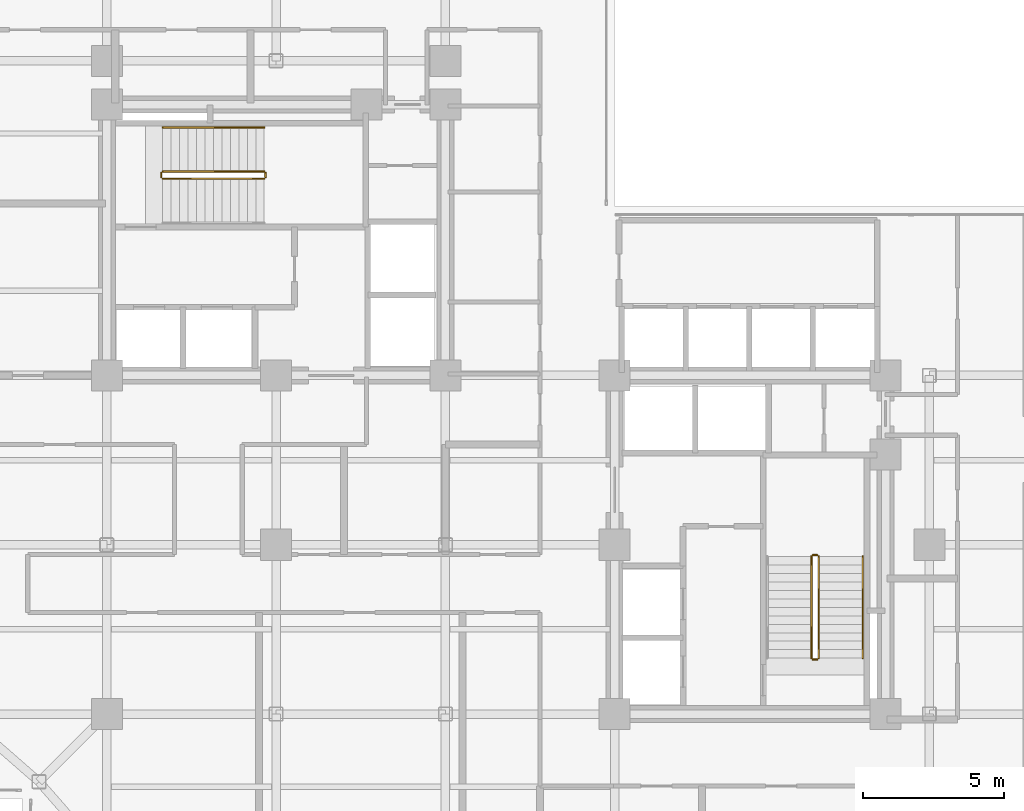
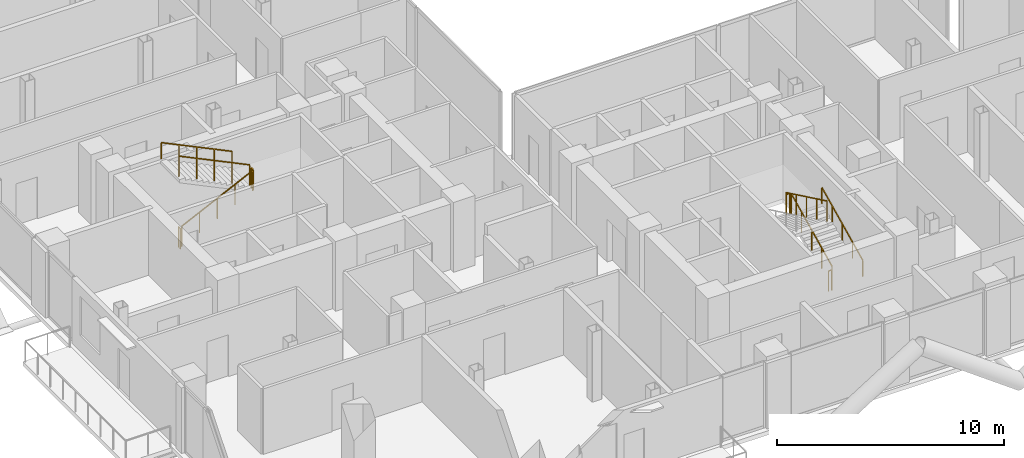
# One storey, part 24 of 24: 10 railings.
"""IFC4 building model written with IfcOpenShell, lengths in metres."""

from ifc_helpers import new_model, si_unit, direction, frame, origin, origin_2d, place, context, subcontext, project, spatial, rectangle, extrude, material, type_object, element, save


model = new_model("IFC4")

# Units and contexts
model_context = context("Model", 3, precision=1e-05, world=origin(), true_north=direction((0.0, 1.0)))
body_context = subcontext(model_context, "Body", "Model", "MODEL_VIEW")
ifc_project = project(units=[si_unit("LENGTHUNIT", "METRE"), si_unit("AREAUNIT", "SQUARE_METRE"), si_unit("VOLUMEUNIT", "CUBIC_METRE"), si_unit("PLANEANGLEUNIT", "RADIAN"), si_unit("MASSUNIT", "GRAM", prefix="KILO"), si_unit("THERMODYNAMICTEMPERATUREUNIT", "KELVIN"), si_unit("POWERUNIT", "WATT")], contexts=[model_context])

# Site, building, storey
site_placement = place(None, origin())
site = spatial("IfcSite", under=ifc_project, at=site_placement, CompositionType="ELEMENT")
building_placement = place(site_placement, origin())
building = spatial("IfcBuilding", under=site, at=building_placement, Name="Svarakhadi Broadcast Tower", CompositionType="ELEMENT")
storey_placement = place(building_placement, frame((0.0, 0.0, 130.64990234375)))
storey = spatial("IfcBuildingStorey", under=building, at=storey_placement, Name="L31", CompositionType="ELEMENT", Elevation=130.64990234375)

# Railings
ifc_material = material(Name="Anodised Bronze Aluminium AA 6063-T6", Category="aluminium")
railing_type_1 = type_object("IfcRailingType", Name="Guard_Stair_GR01", PredefinedType="GUARDRAIL", material=ifc_material)
railing_1_placement = place(storey_placement, frame((7.97998046875, 24.969970703125, 0.144287109375)))
element("IfcRailing", 1, at=railing_1_placement, inside=storey, type_object=railing_type_1, Name="L31 ST-01 stair guard 1", PredefinedType="GUARDRAIL", context=body_context, shape_type="SweptSolid", body=[
    extrude(rectangle(XDim=0.048095703125, YDim=0.048095703125, at=origin_2d()), frame((0.0, 0.0, 1.09619140625), z_axis=(0.901262522062, 0.0, 0.433273431364), x_axis=(0.0, 1.0, 0.0)), (0.0, 0.0, 1.0), 3.994384765625),
    extrude(rectangle(XDim=0.0419921875, YDim=0.0419921875, at=origin_2d()), origin(), (0.0, 0.0, 1.0), 1.072021484375),
    extrude(rectangle(XDim=0.0419921875, YDim=0.0419921875, at=origin_2d()), frame((0.89990234375, 0.0, 0.4326171875)), (0.0, 0.0, 1.0), 1.072021484375),
    extrude(rectangle(XDim=0.0419921875, YDim=0.0419921875, at=origin_2d()), frame((1.800048828125, 0.0, 0.865234375)), (0.0, 0.0, 1.0), 1.072021484375),
    extrude(rectangle(XDim=0.0419921875, YDim=0.0419921875, at=origin_2d()), frame((2.7001953125, 0.0, 1.298095703125)), (0.0, 0.0, 1.0), 1.072021484375),
    extrude(rectangle(XDim=0.0419921875, YDim=0.0419921875, at=origin_2d()), frame((3.60009765625, 0.0, 1.730712890625)), (0.0, 0.0, 1.0), 1.072021484375),
])
railing_2_placement = place(storey_placement, frame((11.6298828125, 25.02001953125, 1.875)))
element("IfcRailing", 2, at=railing_2_placement, inside=storey, type_object=railing_type_1, Name="L31 ST-01 stair guard 2", PredefinedType="GUARDRAIL", context=body_context, shape_type="SweptSolid", body=[
    extrude(rectangle(XDim=0.048095703125, YDim=0.048095703125, at=origin_2d()), frame((0.0, 0.0, 1.09619140625), z_axis=(0.0, 1.0, 0.0), x_axis=(-1.0, 0.0, 0.0)), (0.0, 0.0, 1.0), 0.159912109375),
    extrude(rectangle(XDim=0.0419921875, YDim=0.0419921875, at=origin_2d()), origin(), (0.0, 0.0, 1.0), 1.072021484375),
    extrude(rectangle(XDim=0.0419921875, YDim=0.0419921875, at=origin_2d()), frame((0.0, 0.159912109375, 0.0)), (0.0, 0.0, 1.0), 1.072021484375),
])
railing_3_placement = place(storey_placement, frame((11.580078125, 25.22998046875, 2.019287109375)))
element("IfcRailing", 3, at=railing_3_placement, inside=storey, type_object=railing_type_1, Name="L31 ST-01 stair guard 3", PredefinedType="GUARDRAIL", context=body_context, shape_type="SweptSolid", body=[
    extrude(rectangle(XDim=0.048095703125, YDim=0.048095703125, at=origin_2d()), frame((0.0, 0.0, 1.09619140625), z_axis=(-0.901262522062, 0.0, 0.433273431364), x_axis=(0.0, -1.0, 0.0)), (0.0, 0.0, 1.0), 3.994384765625),
    extrude(rectangle(XDim=0.0419921875, YDim=0.0419921875, at=origin_2d()), origin(), (0.0, 0.0, 1.0), 1.072021484375),
    extrude(rectangle(XDim=0.0419921875, YDim=0.0419921875, at=origin_2d()), frame((-0.89990234375, 0.0, 0.4326171875)), (0.0, 0.0, 1.0), 1.072021484375),
    extrude(rectangle(XDim=0.0419921875, YDim=0.0419921875, at=origin_2d()), frame((-1.800048828125, 0.0, 0.865234375)), (0.0, 0.0, 1.0), 1.072021484375),
    extrude(rectangle(XDim=0.0419921875, YDim=0.0419921875, at=origin_2d()), frame((-2.7001953125, 0.0, 1.298095703125)), (0.0, 0.0, 1.0), 1.072021484375),
    extrude(rectangle(XDim=0.0419921875, YDim=0.0419921875, at=origin_2d()), frame((-3.60009765625, 0.0, 1.730712890625)), (0.0, 0.0, 1.0), 1.072021484375),
])
railing_4_placement = place(storey_placement, frame((7.929931640625, 25.02001953125, 0.0)))
element("IfcRailing", 4, at=railing_4_placement, inside=storey, type_object=railing_type_1, Name="L31 ST-01 stair guard 4", PredefinedType="GUARDRAIL", context=body_context, shape_type="SweptSolid", body=[
    extrude(rectangle(XDim=0.048095703125, YDim=0.048095703125, at=origin_2d()), frame((0.0, 0.0, 1.09619140625), z_axis=(0.0, 1.0, 0.0), x_axis=(-1.0, 0.0, 0.0)), (0.0, 0.0, 1.0), 0.159912109375),
    extrude(rectangle(XDim=0.0419921875, YDim=0.0419921875, at=origin_2d()), origin(), (0.0, 0.0, 1.0), 1.072021484375),
    extrude(rectangle(XDim=0.0419921875, YDim=0.0419921875, at=origin_2d()), frame((0.0, 0.159912109375, 0.0)), (0.0, 0.0, 1.0), 1.072021484375),
])
railing_5_placement = place(storey_placement, frame((31.22998046875, 7.97998046875, 0.144287109375)))
element("IfcRailing", 5, at=railing_5_placement, inside=storey, type_object=railing_type_1, Name="L31 ST-02 stair guard 1", PredefinedType="GUARDRAIL", context=body_context, shape_type="SweptSolid", body=[
    extrude(rectangle(XDim=0.048095703125, YDim=0.048095703125, at=origin_2d()), frame((0.0, 0.0, 1.09619140625), z_axis=(0.0, 0.901262522062, 0.433273431364), x_axis=(-1.0, 0.0, 0.0)), (0.0, 0.0, 1.0), 3.994384765625),
    extrude(rectangle(XDim=0.0419921875, YDim=0.0419921875, at=origin_2d()), origin(), (0.0, 0.0, 1.0), 1.072021484375),
    extrude(rectangle(XDim=0.0419921875, YDim=0.0419921875, at=origin_2d()), frame((0.0, 0.89990234375, 0.4326171875)), (0.0, 0.0, 1.0), 1.072021484375),
    extrude(rectangle(XDim=0.0419921875, YDim=0.0419921875, at=origin_2d()), frame((0.0, 1.800048828125, 0.865234375)), (0.0, 0.0, 1.0), 1.072021484375),
    extrude(rectangle(XDim=0.0419921875, YDim=0.0419921875, at=origin_2d()), frame((0.0, 2.7001953125, 1.298095703125)), (0.0, 0.0, 1.0), 1.072021484375),
    extrude(rectangle(XDim=0.0419921875, YDim=0.0419921875, at=origin_2d()), frame((0.0, 3.60009765625, 1.730712890625)), (0.0, 0.0, 1.0), 1.072021484375),
])
railing_6_placement = place(storey_placement, frame((31.179931640625, 11.6298828125, 1.875)))
element("IfcRailing", 6, at=railing_6_placement, inside=storey, type_object=railing_type_1, Name="L31 ST-02 stair guard 2", PredefinedType="GUARDRAIL", context=body_context, shape_type="SweptSolid", body=[
    extrude(rectangle(XDim=0.048095703125, YDim=0.048095703125, at=origin_2d()), frame((0.0, 0.0, 1.09619140625), z_axis=(-1.0, 0.0, 0.0), x_axis=(0.0, -1.0, 0.0)), (0.0, 0.0, 1.0), 0.159912109375),
    extrude(rectangle(XDim=0.0419921875, YDim=0.0419921875, at=origin_2d()), origin(), (0.0, 0.0, 1.0), 1.072021484375),
    extrude(rectangle(XDim=0.0419921875, YDim=0.0419921875, at=origin_2d()), frame((-0.159912109375, 0.0, 0.0)), (0.0, 0.0, 1.0), 1.072021484375),
])
railing_7_placement = place(storey_placement, frame((30.969970703125, 11.580078125, 2.019287109375)))
element("IfcRailing", 7, at=railing_7_placement, inside=storey, type_object=railing_type_1, Name="L31 ST-02 stair guard 3", PredefinedType="GUARDRAIL", context=body_context, shape_type="SweptSolid", body=[
    extrude(rectangle(XDim=0.048095703125, YDim=0.048095703125, at=origin_2d()), frame((0.0, 0.0, 1.09619140625), z_axis=(0.0, -0.901262522062, 0.433273431364), x_axis=(1.0, 0.0, 0.0)), (0.0, 0.0, 1.0), 3.994384765625),
    extrude(rectangle(XDim=0.0419921875, YDim=0.0419921875, at=origin_2d()), origin(), (0.0, 0.0, 1.0), 1.072021484375),
    extrude(rectangle(XDim=0.0419921875, YDim=0.0419921875, at=origin_2d()), frame((0.0, -0.89990234375, 0.4326171875)), (0.0, 0.0, 1.0), 1.072021484375),
    extrude(rectangle(XDim=0.0419921875, YDim=0.0419921875, at=origin_2d()), frame((0.0, -1.800048828125, 0.865234375)), (0.0, 0.0, 1.0), 1.072021484375),
    extrude(rectangle(XDim=0.0419921875, YDim=0.0419921875, at=origin_2d()), frame((0.0, -2.7001953125, 1.298095703125)), (0.0, 0.0, 1.0), 1.072021484375),
    extrude(rectangle(XDim=0.0419921875, YDim=0.0419921875, at=origin_2d()), frame((0.0, -3.60009765625, 1.730712890625)), (0.0, 0.0, 1.0), 1.072021484375),
])
railing_8_placement = place(storey_placement, frame((31.179931640625, 7.929931640625, 0.0)))
element("IfcRailing", 8, at=railing_8_placement, inside=storey, type_object=railing_type_1, Name="L31 ST-02 stair guard 4", PredefinedType="GUARDRAIL", context=body_context, shape_type="SweptSolid", body=[
    extrude(rectangle(XDim=0.048095703125, YDim=0.048095703125, at=origin_2d()), frame((0.0, 0.0, 1.09619140625), z_axis=(-1.0, 0.0, 0.0), x_axis=(0.0, -1.0, 0.0)), (0.0, 0.0, 1.0), 0.159912109375),
    extrude(rectangle(XDim=0.0419921875, YDim=0.0419921875, at=origin_2d()), origin(), (0.0, 0.0, 1.0), 1.072021484375),
    extrude(rectangle(XDim=0.0419921875, YDim=0.0419921875, at=origin_2d()), frame((-0.159912109375, 0.0, 0.0)), (0.0, 0.0, 1.0), 1.072021484375),
])
railing_type_2 = type_object("IfcRailingType", Name="Handrail_Stair_HR01", PredefinedType="HANDRAIL", material=ifc_material)
railing_9_placement = place(storey_placement, frame((11.580078125, 26.7900390625, 2.019287109375)))
element("IfcRailing", 9, at=railing_9_placement, inside=storey, type_object=railing_type_2, Name="L31 ST-01 stair handrail 2", PredefinedType="HANDRAIL", context=body_context, shape_type="SweptSolid", body=[
    extrude(rectangle(XDim=0.048095703125, YDim=0.048095703125, at=origin_2d()), frame((0.0, 0.0, 0.8759765625), z_axis=(-0.901262522062, 0.0, 0.433273431364), x_axis=(0.0, -1.0, 0.0)), (0.0, 0.0, 1.0), 3.994384765625),
    extrude(rectangle(XDim=0.0419921875, YDim=0.0419921875, at=origin_2d()), origin(), (0.0, 0.0, 1.0), 0.851806640625),
    extrude(rectangle(XDim=0.0419921875, YDim=0.0419921875, at=origin_2d()), frame((-0.89990234375, 0.0, 0.4326171875)), (0.0, 0.0, 1.0), 0.851806640625),
    extrude(rectangle(XDim=0.0419921875, YDim=0.0419921875, at=origin_2d()), frame((-1.800048828125, 0.0, 0.865234375)), (0.0, 0.0, 1.0), 0.851806640625),
    extrude(rectangle(XDim=0.0419921875, YDim=0.0419921875, at=origin_2d()), frame((-2.7001953125, 0.0, 1.298095703125)), (0.0, 0.0, 1.0), 0.851806640625),
    extrude(rectangle(XDim=0.0419921875, YDim=0.0419921875, at=origin_2d()), frame((-3.60009765625, 0.0, 1.730712890625)), (0.0, 0.0, 1.0), 0.851806640625),
])
railing_10_placement = place(storey_placement, frame((32.7900390625, 7.97998046875, 0.144287109375)))
element("IfcRailing", 10, at=railing_10_placement, inside=storey, type_object=railing_type_2, Name="L31 ST-02 stair handrail 1", PredefinedType="HANDRAIL", context=body_context, shape_type="SweptSolid", body=[
    extrude(rectangle(XDim=0.048095703125, YDim=0.048095703125, at=origin_2d()), frame((0.0, 0.0, 0.8759765625), z_axis=(0.0, 0.901262522062, 0.433273431364), x_axis=(-1.0, 0.0, 0.0)), (0.0, 0.0, 1.0), 3.994384765625),
    extrude(rectangle(XDim=0.0419921875, YDim=0.0419921875, at=origin_2d()), origin(), (0.0, 0.0, 1.0), 0.851806640625),
    extrude(rectangle(XDim=0.0419921875, YDim=0.0419921875, at=origin_2d()), frame((0.0, 0.89990234375, 0.4326171875)), (0.0, 0.0, 1.0), 0.851806640625),
    extrude(rectangle(XDim=0.0419921875, YDim=0.0419921875, at=origin_2d()), frame((0.0, 1.800048828125, 0.865234375)), (0.0, 0.0, 1.0), 0.851806640625),
    extrude(rectangle(XDim=0.0419921875, YDim=0.0419921875, at=origin_2d()), frame((0.0, 2.7001953125, 1.298095703125)), (0.0, 0.0, 1.0), 0.851806640625),
    extrude(rectangle(XDim=0.0419921875, YDim=0.0419921875, at=origin_2d()), frame((0.0, 3.60009765625, 1.730712890625)), (0.0, 0.0, 1.0), 0.851806640625),
])

save(model, "model.ifc")
